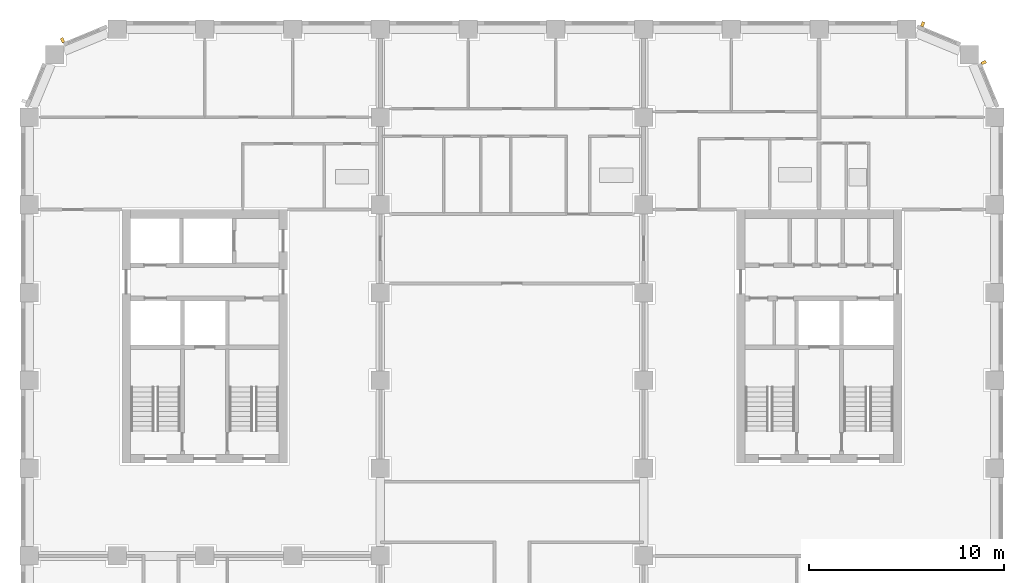
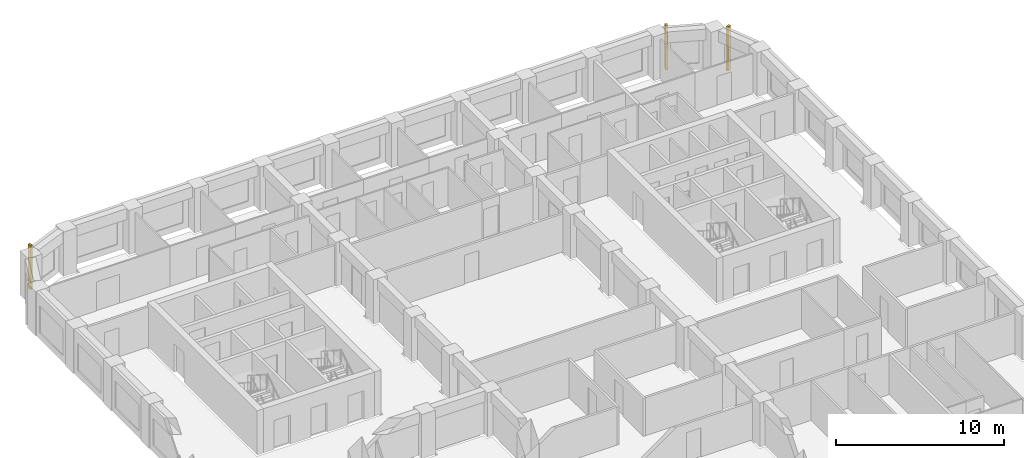
# One storey, part 12 of 13: 3 shading devices.
"""IFC4 building model written with IfcOpenShell, lengths in metres."""

from ifc_helpers import new_model, si_unit, direction, frame, origin, origin_2d, place, context, subcontext, project, spatial, rectangle, extrude, material, type_object, element, save


model = new_model("IFC4")

# Units and contexts
model_context = context("Model", 3, precision=1e-05, world=origin(), true_north=direction((0.0, 1.0)))
body_context = subcontext(model_context, "Body", "Model", "MODEL_VIEW")
ifc_project = project(units=[si_unit("LENGTHUNIT", "METRE"), si_unit("AREAUNIT", "SQUARE_METRE"), si_unit("VOLUMEUNIT", "CUBIC_METRE"), si_unit("PLANEANGLEUNIT", "RADIAN"), si_unit("MASSUNIT", "GRAM", prefix="KILO")], contexts=[model_context])

# Site, building, storey
site_placement = place(None, origin())
site = spatial("IfcSite", under=ifc_project, at=site_placement, CompositionType="ELEMENT")
building_placement = place(site_placement, origin())
building = spatial("IfcBuilding", under=site, at=building_placement, Name="Girih Gate Residences", CompositionType="ELEMENT")
storey_placement = place(building_placement, frame((0.0, 0.0, 130.199951171875)))
storey = spatial("IfcBuildingStorey", under=building, at=storey_placement, Name="L36", CompositionType="ELEMENT", Elevation=130.199951171875)

# Shading devices
ifc_material = material(Name="Precast concrete C50/60", Category="concrete")
shading_device_type = type_object("IfcShadingDeviceType", Name="Corner rib 150x250", PredefinedType="USERDEFINED", material=ifc_material)
for number, where, z_axis, x_axis, name in (
    (1, (48.937744140625, 47.794677734375, 0.0), (0.0, 0.0, 1.0), (-0.382683432365, 0.923879532511, 0.0), "Corner rib NE0495_0450.0"),
    (2, (45.808349609375, 49.760498046875, 0.0), (0.0, 0.0, 1.0), (-0.923879532511, 0.382683432365, 0.0), "Corner rib NE0482_0482.0"),
    (3, (1.705322265625, 48.937744140625, 0.0), (0.0, 0.0, 1.0), (-0.923879532511, -0.382683432365, 0.0), "Corner rib NW0045_0495.0"),
):
    element("IfcShadingDevice", number, at=place(storey_placement, frame(where, z_axis=z_axis, x_axis=x_axis)), inside=storey, type_object=shading_device_type, Name=name, ObjectType="FIN", PredefinedType="USERDEFINED", context=body_context, shape_type="SweptSolid", body=[
        extrude(rectangle(XDim=0.14990234375, YDim=0.25, at=origin_2d()), origin(), (0.0, 0.0, 1.0), 3.199951171875),
    ])

save(model, "model.ifc")
